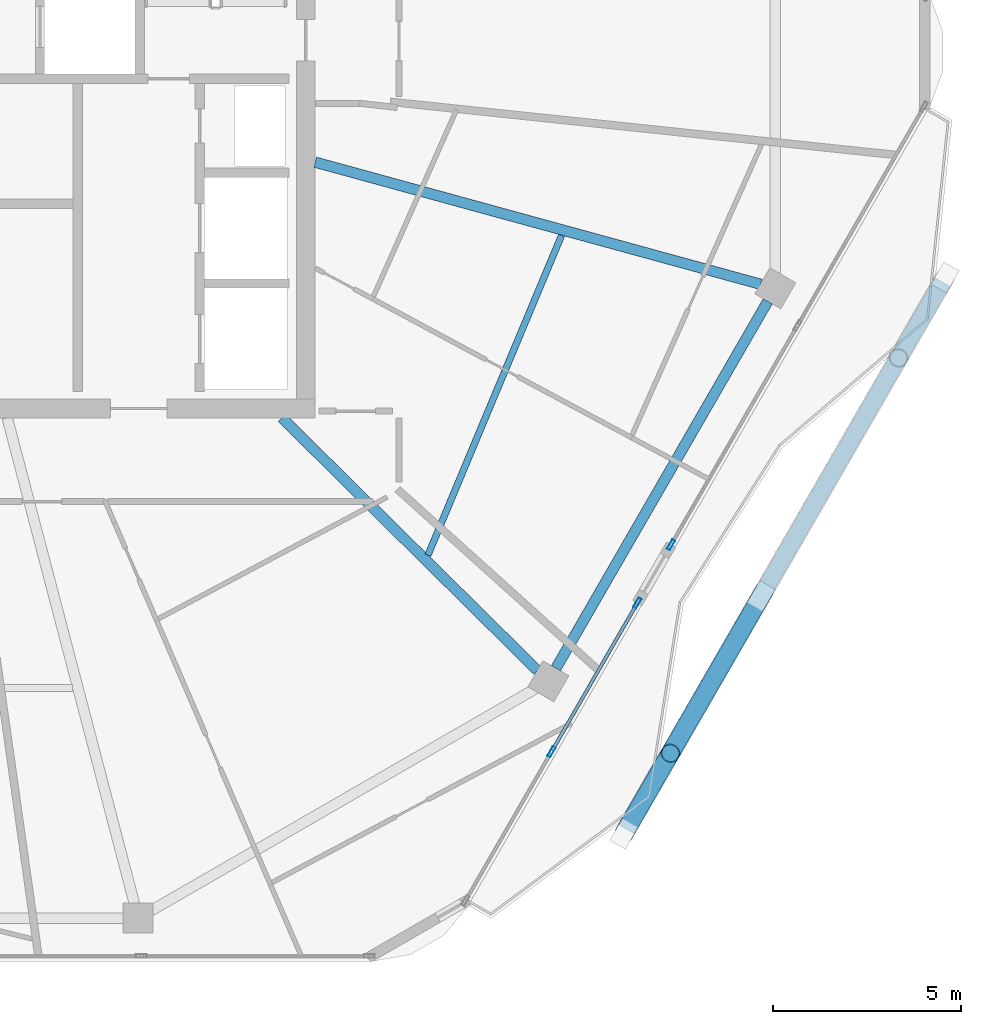
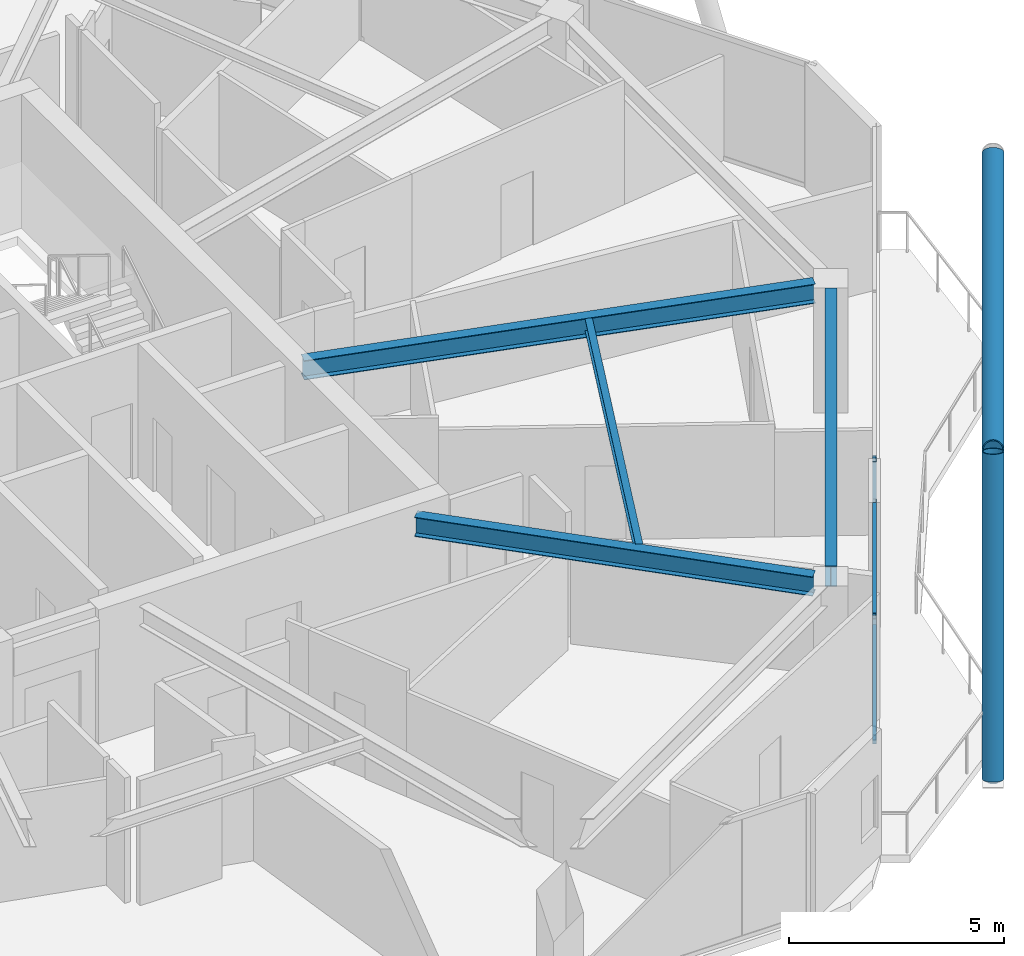
# One storey, part 7 of 23: 9 members, 4 beams, 2 elements without a shape of their own.
"""IFC4 building model written with IfcOpenShell, lengths in metres."""

import ifcopenshell
import ifcopenshell.guid

model = None  # the IFC model being written
_history = None  # IfcOwnerHistory: only IFC2X3 demands one
_inside = {}  # id of a spatial element -> (the spatial element, [elements in it])
_under = {}  # id of a project, library or spatial element -> (it, [spatial elements below it])
_declared = {}  # id of a project -> (the project, [libraries it declares])
_typed = {}  # id of a type object -> (the type object, [elements of that type])
_made_of = {}  # id of a material, layer set ... -> (it, [elements and type objects made of it])


def new_model(schema):
    """Start an empty IFC model of exactly this schema.

    Asked for "IFC4X3", IfcOpenShell would pick the latest addendum, in which some entities
    have other attributes; the version numbers below select the first issue.
    IFC2X3 requires an IfcOwnerHistory on every rooted entity: one is made here for all.
    """
    global model, _history
    if schema == "IFC4X3":
        model = ifcopenshell.file(schema_version=(4, 3, 0, 0))
    else:
        model = ifcopenshell.file(schema=schema)
    _inside.clear()
    _under.clear()
    _declared.clear()
    _typed.clear()
    _made_of.clear()
    _history = None
    if model.schema == "IFC2X3":
        org = make("IfcOrganization", Name="unknown")
        user = make(
            "IfcPersonAndOrganization",
            ThePerson=make("IfcPerson", FamilyName="unknown"),
            TheOrganization=org,
        )
        app = make(
            "IfcApplication",
            ApplicationDeveloper=org,
            Version="unknown",
            ApplicationFullName="unknown",
            ApplicationIdentifier="unknown",
        )
        _history = make(
            "IfcOwnerHistory",
            OwningUser=user,
            OwningApplication=app,
            ChangeAction="ADDED",
            CreationDate=0,
        )
    return model


def make(cls, **values):
    """One entity of the class cls with the attributes given. An attribute that is None is left unset."""
    return model.create_entity(
        cls, **{name: value for name, value in values.items() if value is not None}
    )


def rooted(cls, **values):
    """An entity with a GlobalId (a new one), such as an element, a storey or a relation."""
    return make(cls, GlobalId=ifcopenshell.guid.new(), OwnerHistory=_history, **values)


def si_unit(unit_type, name, prefix=None):
    """IfcSIUnit, for example si_unit("LENGTHUNIT", "METRE", prefix="MILLI")."""
    return make("IfcSIUnit", UnitType=unit_type, Prefix=prefix, Name=name)


def assignment(units):
    """IfcUnitAssignment: the units of a project."""
    return None if units is None else make("IfcUnitAssignment", Units=units)


def point(xyz):
    """IfcCartesianPoint."""
    return None if xyz is None else make("IfcCartesianPoint", Coordinates=xyz)


def direction(xyz):
    """IfcDirection."""
    return None if xyz is None else make("IfcDirection", DirectionRatios=xyz)


def frame(location, z_axis=None, x_axis=None):
    """IfcAxis2Placement3D, a coordinate frame: its origin and axes. An axis left out is left unset."""
    return make(
        "IfcAxis2Placement3D",
        Location=point(location),
        Axis=direction(z_axis),
        RefDirection=direction(x_axis),
    )


def frame_2d(location, x_axis=None):
    """IfcAxis2Placement2D, a coordinate frame in the plane: its origin and x axis."""
    return make(
        "IfcAxis2Placement2D", Location=point(location), RefDirection=direction(x_axis)
    )


def origin():
    """The frame at (0, 0, 0) with its axes left unset."""
    return frame((0.0, 0.0, 0.0))


def origin_2d():
    """The frame at (0, 0) in the plane with its x axis left unset."""
    return frame_2d((0.0, 0.0))


def place(relative_to, where):
    """IfcLocalPlacement: puts the frame where relative to a parent placement (None: the world)."""
    return make(
        "IfcLocalPlacement", PlacementRelTo=relative_to, RelativePlacement=where
    )


def context(
    kind, dimensions, precision=None, world=None, true_north=None, identifier=None
):
    """IfcGeometricRepresentationContext, for example the 3D "Model" context."""
    return make(
        "IfcGeometricRepresentationContext",
        ContextIdentifier=identifier,
        ContextType=kind,
        CoordinateSpaceDimension=dimensions,
        Precision=precision,
        WorldCoordinateSystem=world,
        TrueNorth=true_north,
    )


def subcontext(parent, identifier, kind, view, scale=None):
    """IfcGeometricRepresentationSubContext, for example "Body" below "Model"."""
    return make(
        "IfcGeometricRepresentationSubContext",
        ContextIdentifier=identifier,
        ContextType=kind,
        ParentContext=parent,
        TargetScale=scale,
        TargetView=view,
    )


def project(units=None, contexts=None):
    """IfcProject with its units and contexts."""
    return rooted(
        "IfcProject",
        Name="project",
        RepresentationContexts=contexts,
        UnitsInContext=assignment(units),
    )


def spatial(cls, under=None, at=None, **own):
    """A site, building, storey or space (cls), placed at a placement, below another one or the project."""
    s = rooted(cls, ObjectPlacement=at, **own)
    if under is not None:
        _under.setdefault(under.id(), (under, []))[1].append(s)
    return s


def profile(cls, at=None, kind="AREA", **sizes):
    """A parametric profile (cls). Its sizes go by their IFC names, for example OverallWidth=200.0."""
    return make(cls, ProfileType=kind, Position=at, **sizes)


def hollow_rectangle(**sizes):
    """IfcRectangleHollowProfileDef."""
    return profile("IfcRectangleHollowProfileDef", **sizes)


def hollow_circle(**sizes):
    """IfcCircleHollowProfileDef."""
    return profile("IfcCircleHollowProfileDef", **sizes)


def i_section(**sizes):
    """IfcIShapeProfileDef."""
    return profile("IfcIShapeProfileDef", **sizes)


def extrude(swept, where, along, depth):
    """IfcExtrudedAreaSolid: the profile swept, set in the frame where, extruded along a direction by depth."""
    return make(
        "IfcExtrudedAreaSolid",
        SweptArea=swept,
        Position=where,
        ExtrudedDirection=direction(along),
        Depth=depth,
    )


def shape(context_of_items, identifier, shape_type, items):
    """IfcShapeRepresentation: the items that make up one representation, for example the "Body"."""
    return make(
        "IfcShapeRepresentation",
        ContextOfItems=context_of_items,
        RepresentationIdentifier=identifier,
        RepresentationType=shape_type,
        Items=items,
    )


def material(Name=None, Category=None):
    """IfcMaterial."""
    return make("IfcMaterial", Name=Name, Category=Category)


def material_profile(
    of_material, cross_section, Name=None, Category=None, Priority=None
):
    """IfcMaterialProfile: a cross section and its material."""
    return make(
        "IfcMaterialProfile",
        Name=Name,
        Material=of_material,
        Profile=cross_section,
        Priority=Priority,
        Category=Category,
    )


def profile_set(profiles, Name=None, composite=None):
    """IfcMaterialProfileSet."""
    return make(
        "IfcMaterialProfileSet",
        Name=Name,
        MaterialProfiles=profiles,
        CompositeProfile=composite,
    )


def made_of(thing, what):
    """Note that an element or type object is made of a material, layer set ...; save() writes the relation."""
    if what is not None:
        _made_of.setdefault(what.id(), (what, []))[1].append(thing)
    return thing


def type_object(cls, material=None, **own):
    """A type object (cls), such as IfcWallType, which elements share."""
    return made_of(rooted(cls, **own), material)


def element(
    cls,
    number,
    at=None,
    inside=None,
    cuts=None,
    type_object=None,
    material=None,
    context=None,
    identifier="Body",
    shape_type=None,
    held_by="IfcProductDefinitionShape",
    body=None,
    shapes=None,
    **own,
):
    """One element of the class cls, such as IfcWall. Its Tag is "e" and its number.

    at: its placement. inside: the storey or other place that contains it. cuts: it is an
    opening in that element (IfcRelVoidsElement). A single representation is given by context,
    identifier, shape_type and body (its items); several are given by shapes. held_by: the class
    of the entity that holds the representations. save() writes the other relations.
    """
    e = rooted(cls, Tag="e%d" % number, ObjectPlacement=at, **own)
    if body is not None:
        shapes = [shape(context, identifier, shape_type, body)]
    if shapes is not None:
        e.Representation = make(held_by, Representations=shapes)
    if inside is not None:
        _inside.setdefault(inside.id(), (inside, []))[1].append(e)
    if cuts is not None:
        rooted(
            "IfcRelVoidsElement", RelatingBuildingElement=cuts, RelatedOpeningElement=e
        )
    if type_object is not None:
        _typed.setdefault(type_object.id(), (type_object, []))[1].append(e)
    return made_of(e, material)


def aggregate(whole, parts):
    """IfcRelAggregates: a whole, such as a stair, and the parts it consists of."""
    return rooted("IfcRelAggregates", RelatingObject=whole, RelatedObjects=parts)


def save(model, path):
    """Write the relations noted so far, then the file.

    IfcRelAggregates (storeys below a building ...), IfcRelContainedInSpatialStructure (elements
    in a storey), IfcRelDefinesByType, IfcRelAssociatesMaterial and IfcRelDeclares: one each for
    every whole, place, type object, material and project.
    """
    for whole, parts in _under.values():
        aggregate(whole, parts)
    for where, things in _inside.values():
        rooted(
            "IfcRelContainedInSpatialStructure",
            RelatedElements=things,
            RelatingStructure=where,
        )
    for kind, things in _typed.values():
        rooted("IfcRelDefinesByType", RelatedObjects=things, RelatingType=kind)
    for what, things in _made_of.values():
        rooted("IfcRelAssociatesMaterial", RelatedObjects=things, RelatingMaterial=what)
    for by, libraries in _declared.values():
        rooted("IfcRelDeclares", RelatingContext=by, RelatedDefinitions=libraries)
    model.write(path)


model = new_model("IFC4")

# Units and contexts
model_context = context("Model", 3, precision=1e-05, world=origin(), true_north=direction((0.0, 1.0)))
body_context = subcontext(model_context, "Body", "Model", "MODEL_VIEW")
ifc_project = project(units=[si_unit("LENGTHUNIT", "METRE"), si_unit("AREAUNIT", "SQUARE_METRE"), si_unit("VOLUMEUNIT", "CUBIC_METRE"), si_unit("PLANEANGLEUNIT", "RADIAN"), si_unit("MASSUNIT", "GRAM", prefix="KILO")], contexts=[model_context])

# Site, building, storey
site_placement = place(None, origin())
site = spatial("IfcSite", under=ifc_project, at=site_placement, CompositionType="ELEMENT")
building_placement = place(site_placement, origin())
building = spatial("IfcBuilding", under=site, at=building_placement, Name="Zuhravey Tower", CompositionType="ELEMENT")
storey_placement = place(building_placement, frame((0.0, 0.0, 315.800048828125)))
storey = spatial("IfcBuildingStorey", under=building, at=storey_placement, Name="L80", CompositionType="ELEMENT", Elevation=315.800048828125)

# Curtain wall, member
ifc_material_1 = material(Name="Thermally broken anodised aluminium", Category="aluminium")
curtain_wall_type = type_object("IfcCurtainWallType", Name="Zone 3-4 High-Rise Curtain Wall CW4", PredefinedType="NOTDEFINED", material=ifc_material_1)
curtain_wall_1_placement = place(storey_placement, origin())
curtain_wall_1 = element("IfcCurtainWall", 1, at=curtain_wall_1_placement, inside=storey, type_object=curtain_wall_type, Name="L80 CW4 CW-L80-F6-1", PredefinedType="NOTDEFINED")
ifc_material_2 = material(Name="Anodised aluminium", Category="aluminium")
ifc_material_profile_1 = material_profile(ifc_material_2, hollow_rectangle(XDim=0.090087890625, YDim=0.284912109375, WallThickness=0.0048828125, at=origin_2d()), Name="ALU-RHS-90x285x5")
ifc_profile_set_1 = profile_set([ifc_material_profile_1], Name="Anodised aluminium")
member_type_1 = type_object("IfcMemberType", Name="Curtain-Wall Mullion 90x180", PredefinedType="MULLION", material=ifc_profile_set_1)
member_1_placement = place(storey_placement, frame((56.218017578125, 18.870361328125, 0.0), z_axis=(0.0, 0.0, 1.0), x_axis=(0.866027121742, -0.499997024399, 0.0)))
member_1 = element("IfcMember", 2, at=member_1_placement, type_object=member_type_1, Name="CW4 mullion 3", PredefinedType="MULLION", context=body_context, shape_type="SweptSolid", body=[
    extrude(hollow_rectangle(XDim=0.090087890625, YDim=0.284912109375, WallThickness=0.0048828125, at=origin_2d()), origin(), (0.0, 0.0, 1.0), 3.550048828125),
])
aggregate(curtain_wall_1, [member_1])

# Curtain wall, members
curtain_wall_2_placement = place(storey_placement, origin())
curtain_wall_2 = element("IfcCurtainWall", 3, at=curtain_wall_2_placement, inside=storey, type_object=curtain_wall_type, Name="L80 CW4 CW-L80-F6-2", PredefinedType="NOTDEFINED")
member_2_placement = place(storey_placement, frame((55.322998046875, 17.3203125, 0.0), z_axis=(0.0, 0.0, 1.0), x_axis=(0.866024338338, -0.500001845404, 0.0)))
member_2 = element("IfcMember", 4, at=member_2_placement, type_object=member_type_1, Name="CW4 mullion 1", PredefinedType="MULLION", context=body_context, shape_type="SweptSolid", body=[
    extrude(hollow_rectangle(XDim=0.090087890625, YDim=0.284912109375, WallThickness=0.0048828125, at=origin_2d()), origin(), (0.0, 0.0, 1.0), 3.550048828125),
])
member_3_placement = place(storey_placement, frame((53.037353515625, 13.361328125, 0.0), z_axis=(0.0, 0.0, 1.0), x_axis=(0.866024338338, -0.500001845404, 0.0)))
member_3 = element("IfcMember", 5, at=member_3_placement, type_object=member_type_1, Name="CW4 mullion 2", PredefinedType="MULLION", context=body_context, shape_type="SweptSolid", body=[
    extrude(hollow_rectangle(XDim=0.090087890625, YDim=0.284912109375, WallThickness=0.0048828125, at=origin_2d()), origin(), (0.0, 0.0, 1.0), 3.550048828125),
])
ifc_material_profile_2 = material_profile(ifc_material_2, hollow_rectangle(XDim=0.090087890625, YDim=0.14990234375, WallThickness=0.0048828125, at=origin_2d()), Name="ALU-RHS-90x150x5")
ifc_profile_set_2 = profile_set([ifc_material_profile_2], Name="Anodised aluminium")
member_type_2 = type_object("IfcMemberType", Name="Curtain-Wall Transom 90x150", PredefinedType="USERDEFINED", material=ifc_profile_set_2)
member_4_placement = place(storey_placement, frame((55.300537109375, 17.28125, 0.044921875), z_axis=(-0.500017983254, -0.866015020899, 0.0), x_axis=(0.866015020899, -0.500017983254, 0.0)))
member_4 = element("IfcMember", 6, at=member_4_placement, type_object=member_type_2, Name="CW4 transom 1.1", ObjectType="TRANSOM", PredefinedType="USERDEFINED", context=body_context, shape_type="SweptSolid", body=[
    extrude(hollow_rectangle(XDim=0.090087890625, YDim=0.14990234375, WallThickness=0.0048828125, at=origin_2d()), origin(), (0.0, 0.0, 1.0), 4.481201171875),
])
member_5_placement = place(storey_placement, frame((55.300537109375, 17.28125, 3.5048828125), z_axis=(-0.500017983254, -0.866015020899, 0.0), x_axis=(0.866015020899, -0.500017983254, 0.0)))
member_5 = element("IfcMember", 7, at=member_5_placement, type_object=member_type_2, Name="CW4 transom 1.2", ObjectType="TRANSOM", PredefinedType="USERDEFINED", context=body_context, shape_type="SweptSolid", body=[
    extrude(hollow_rectangle(XDim=0.090087890625, YDim=0.14990234375, WallThickness=0.0048828125, at=origin_2d()), origin(), (0.0, 0.0, 1.0), 4.481201171875),
])
aggregate(curtain_wall_2, [member_2, member_3, member_4, member_5])

# Members
ifc_material_3 = material(Name="Steel SM355", Category="steel")
ifc_material_profile_3 = material_profile(ifc_material_3, hollow_circle(Radius=0.228515625, WallThickness=0.02197265625, at=origin_2d()), Name="CHS-457.2x22")
ifc_profile_set_3 = profile_set([ifc_material_profile_3], Name="Steel SM355")
member_type_3 = type_object("IfcMemberType", Name="Exoskeleton Ring Tie CHS457x22", PredefinedType="CHORD", material=ifc_profile_set_3)
member_6_placement = place(storey_placement, frame((55.0341796875, 11.300048828125, -0.464111328125), z_axis=(0.499996794797, 0.866027254301, 0.0), x_axis=(-0.866027254301, 0.499996794797, 0.0)))
element("IfcMember", 8, at=member_6_placement, inside=storey, type_object=member_type_3, Name="L80 Exoskeleton Face 6 Tie EXR1", PredefinedType="CHORD", context=body_context, shape_type="SweptSolid", body=[
    extrude(hollow_circle(Radius=0.228515625, WallThickness=0.02197265625, at=origin_2d()), origin(), (0.0, 0.0, 1.0), 16.81884765625),
])
ifc_material_profile_4 = material_profile(ifc_material_3, hollow_circle(Radius=0.25390625, WallThickness=0.02490234375, at=origin_2d()), Name="CHS-508.0x25")
ifc_profile_set_4 = profile_set([ifc_material_profile_4], Name="Steel SM355")
member_type_4 = type_object("IfcMemberType", Name="Exoskeleton Zone 4 Diagrid CHS508x25", PredefinedType="BRACE", material=ifc_profile_set_4)
member_7_placement = place(storey_placement, frame((54.966796875, 11.183349609375, -0.447998046875), z_axis=(0.155230970352, 0.268878930867, 0.950582698338), x_axis=(-0.866034263809, 0.499984653673, 0.0)))
element("IfcMember", 9, at=member_7_placement, inside=storey, type_object=member_type_4, Name="L80 Face 6 Diagrid Brace 1", PredefinedType="BRACE", context=body_context, shape_type="SweptSolid", body=[
    extrude(hollow_circle(Radius=0.25390625, WallThickness=0.02490234375, at=origin_2d()), origin(), (0.0, 0.0, 1.0), 7.961181640625),
])
member_8_placement = place(storey_placement, frame((54.9794921875, 11.20556640625, -0.447998046875), z_axis=(0.443629078053, 0.768366753739, 0.461308760869), x_axis=(-0.866019388108, 0.500010419312, 0.0)))
element("IfcMember", 10, at=member_8_placement, inside=storey, type_object=member_type_4, Name="L80 Face 6 Diagrid Brace 2", PredefinedType="BRACE", context=body_context, shape_type="SweptSolid", body=[
    extrude(hollow_circle(Radius=0.25390625, WallThickness=0.02490234375, at=origin_2d()), origin(), (0.0, 0.0, 1.0), 16.4052734375),
])
member_9_placement = place(storey_placement, frame((58.5224609375, 17.34228515625, 3.48681640625), z_axis=(-0.392806164654, -0.680447689995, 0.618622872347), x_axis=(0.866053230054, -0.499951800389, 0.0)))
element("IfcMember", 11, at=member_9_placement, inside=storey, type_object=member_type_4, Name="L80 Face 6 Split Diagrid Brace 3B", PredefinedType="BRACE", context=body_context, shape_type="SweptSolid", body=[
    extrude(hollow_circle(Radius=0.25390625, WallThickness=0.02490234375, at=origin_2d()), origin(), (0.0, 0.0, 1.0), 5.864013671875),
])

# Beams
ifc_material_profile_5 = material_profile(ifc_material_3, i_section(OverallWidth=0.280029296875, OverallDepth=0.580078125, WebThickness=0.011962890625, FlangeThickness=0.01904296875, at=origin_2d()), Name="H-580x280x12x19")
ifc_profile_set_5 = profile_set([ifc_material_profile_5], Name="Steel SM355")
beam_type_1 = type_object("IfcBeamType", Name="Perimeter Ring Beam H580x280", PredefinedType="BEAM", material=ifc_profile_set_5)
beam_1_placement = place(storey_placement, frame((53.15625, 15.58740234375, 3.260009765625), z_axis=(0.500006198144, 0.866021825255, 0.0), x_axis=(-0.866021825255, 0.500006198144, 0.0)))
element("IfcBeam", 12, at=beam_1_placement, inside=storey, type_object=beam_type_1, Name="L80 PB4 BM-L80-PB-11", PredefinedType="BEAM", context=body_context, shape_type="SweptSolid", body=[
    extrude(i_section(OverallWidth=0.280029296875, OverallDepth=0.580078125, WebThickness=0.011962890625, FlangeThickness=0.01904296875, at=origin_2d()), origin(), (0.0, 0.0, 1.0), 11.271240234375),
])
ifc_material_profile_6 = material_profile(ifc_material_3, i_section(OverallWidth=0.280029296875, OverallDepth=0.550048828125, WebThickness=0.010986328125, FlangeThickness=0.01806640625, at=origin_2d()), Name="H-550x280x11x18")
ifc_profile_set_6 = profile_set([ifc_material_profile_6], Name="Steel SM355")
beam_type_2 = type_object("IfcBeamType", Name="Radial Primary Girder H550x280", PredefinedType="BEAM", material=ifc_profile_set_6)
beam_2_placement = place(storey_placement, frame((45.865234375, 22.2470703125, 3.27490234375), z_axis=(0.711153035666, -0.703037239314, 0.0), x_axis=(0.703037239314, 0.711153035666, 0.0)))
element("IfcBeam", 13, at=beam_2_placement, inside=storey, type_object=beam_type_2, Name="L80 RG4 BM-L80-RAD-11", PredefinedType="BEAM", context=body_context, shape_type="SweptSolid", body=[
    extrude(i_section(OverallWidth=0.280029296875, OverallDepth=0.550048828125, WebThickness=0.010986328125, FlangeThickness=0.01806640625, at=origin_2d()), origin(), (0.0, 0.0, 1.0), 9.566162109375),
])
beam_3_placement = place(storey_placement, frame((46.7529296875, 29.052734375, 3.27490234375), z_axis=(0.964427903067, -0.264346022829, 0.0), x_axis=(0.264346022829, 0.964427903067, 0.0)))
element("IfcBeam", 14, at=beam_3_placement, inside=storey, type_object=beam_type_2, Name="L80 RG4 BM-L80-RAD-12", PredefinedType="BEAM", context=body_context, shape_type="SweptSolid", body=[
    extrude(i_section(OverallWidth=0.280029296875, OverallDepth=0.550048828125, WebThickness=0.010986328125, FlangeThickness=0.01806640625, at=origin_2d()), origin(), (0.0, 0.0, 1.0), 12.2890625),
])
ifc_material_profile_7 = material_profile(ifc_material_3, i_section(OverallWidth=0.175048828125, OverallDepth=0.35009765625, WebThickness=0.007080078125, FlangeThickness=0.010986328125, at=origin_2d()), Name="H-350x175x7x11")
ifc_profile_set_7 = profile_set([ifc_material_profile_7], Name="Steel SM355")
beam_type_3 = type_object("IfcBeamType", Name="Secondary Floor Joist H350x175", PredefinedType="JOIST", material=ifc_profile_set_7)
beam_4_placement = place(storey_placement, frame((49.7490234375, 18.59521484375, 3.375), z_axis=(0.385657891576, 0.922641853953, 0.0), x_axis=(-0.922641853953, 0.385657891576, 0.0)))
element("IfcBeam", 15, at=beam_4_placement, inside=storey, type_object=beam_type_3, Name="L80 SJ3 BM-L80-SJ-11-1", PredefinedType="JOIST", context=body_context, shape_type="SweptSolid", body=[
    extrude(i_section(OverallWidth=0.175048828125, OverallDepth=0.35009765625, WebThickness=0.007080078125, FlangeThickness=0.010986328125, at=origin_2d()), origin(), (0.0, 0.0, 1.0), 9.226806640625),
])

save(model, "model.ifc")
